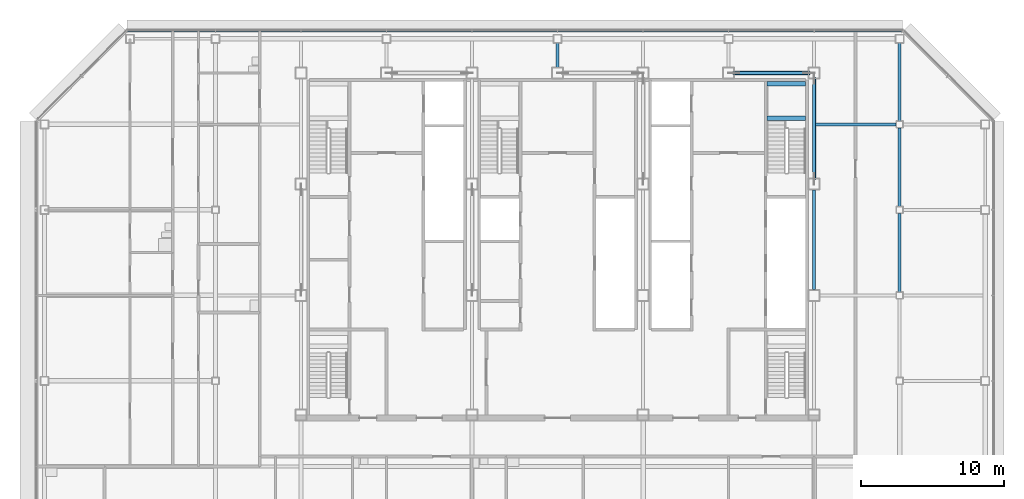
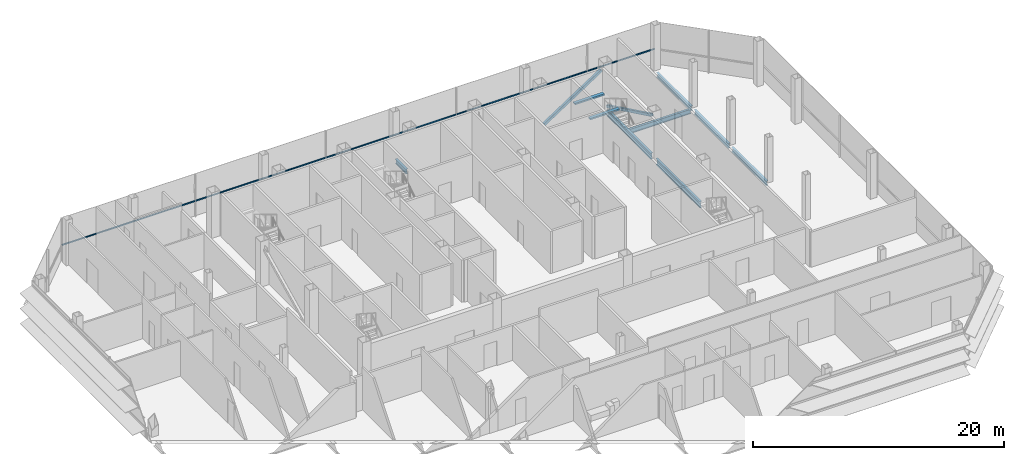
# One storey, part 15 of 29: 9 beams, 3 members, 1 element without a shape of its own.
"""IFC4 building model written with IfcOpenShell, lengths in metres."""

from ifc_helpers import new_model, si_unit, direction, frame, origin, origin_2d, place, context, subcontext, project, spatial, rectangle, hollow_rectangle, i_section, extrude, material, material_profile, profile_set, type_object, element, aggregate, save


model = new_model("IFC4")

# Units and contexts
model_context = context("Model", 3, precision=1e-05, world=origin(), true_north=direction((0.0, 1.0)))
body_context = subcontext(model_context, "Body", "Model", "MODEL_VIEW")
ifc_project = project(units=[si_unit("LENGTHUNIT", "METRE"), si_unit("AREAUNIT", "SQUARE_METRE"), si_unit("VOLUMEUNIT", "CUBIC_METRE"), si_unit("PLANEANGLEUNIT", "RADIAN"), si_unit("MASSUNIT", "GRAM", prefix="KILO")], contexts=[model_context])

# Site, building, storey
site_placement = place(None, origin())
site = spatial("IfcSite", under=ifc_project, at=site_placement, CompositionType="ELEMENT")
building_placement = place(site_placement, origin())
building = spatial("IfcBuilding", under=site, at=building_placement, Name="Sorahane Residences", CompositionType="ELEMENT")
storey_placement = place(building_placement, frame((0.0, 0.0, 277.39990234375)))
storey = spatial("IfcBuildingStorey", under=building, at=storey_placement, Name="L66", CompositionType="ELEMENT", Elevation=277.39990234375)

# Members
ifc_material_1 = material(Name="Steel Q355B", Category="steel")
ifc_material_profile_1 = material_profile(ifc_material_1, hollow_rectangle(XDim=0.25, YDim=0.25, WallThickness=0.013916015625, InnerFilletRadius=0.007080078125, OuterFilletRadius=0.02099609375, at=origin_2d()), Name="RHS 250x250x14")
ifc_profile_set_1 = profile_set([ifc_material_profile_1], Name="Steel Q355B")
member_type_1 = type_object("IfcMemberType", Name="Core brace RHS 250x250x14 Q355B", PredefinedType="BRACE", material=ifc_profile_set_1)
member_1_placement = place(storey_placement, frame((36.35888671875, 45.60009765625, 0.09814453125), z_axis=(0.836962799145, 0.0, 0.54725978552), x_axis=(0.0, 1.0, 0.0)))
element("IfcMember", 1, at=member_1_placement, inside=storey, type_object=member_type_1, Name="Core brace L66 y45.6-6", PredefinedType="BRACE", context=body_context, shape_type="SweptSolid", body=[
    extrude(hollow_rectangle(XDim=0.25, YDim=0.25, WallThickness=0.013916015625, InnerFilletRadius=0.007080078125, OuterFilletRadius=0.02099609375, at=origin_2d()), origin(), (0.0, 0.0, 1.0), 6.311279296875),
])
member_2_placement = place(storey_placement, frame((42.0, 45.232666015625, 0.109130859375), z_axis=(0.0, -0.899502923491, 0.436914740688), x_axis=(1.0, 0.0, 0.0)))
element("IfcMember", 2, at=member_2_placement, inside=storey, type_object=member_type_1, Name="Core brace L66 x42-3", PredefinedType="BRACE", context=body_context, shape_type="SweptSolid", body=[
    extrude(hollow_rectangle(XDim=0.25, YDim=0.25, WallThickness=0.013916015625, InnerFilletRadius=0.007080078125, OuterFilletRadius=0.02099609375, at=origin_2d()), origin(), (0.0, 0.0, 1.0), 7.854736328125),
])

# Curtain wall, member
ifc_material_2 = material(Name="Dark low-e glass and black anodised aluminium", Category="aluminium")
curtain_wall_type = type_object("IfcCurtainWallType", Name="Curtain wall CW-1 Typical unitised wall", PredefinedType="NOTDEFINED", material=ifc_material_2)
curtain_wall_placement = place(storey_placement, origin())
curtain_wall = element("IfcCurtainWall", 3, at=curtain_wall_placement, inside=storey, type_object=curtain_wall_type, Name="CW-1 curtain wall L66 N1", PredefinedType="NOTDEFINED")
ifc_material_3 = material(Name="Black anodised aluminium", Category="aluminium")
ifc_material_profile_2 = material_profile(ifc_material_3, rectangle(XDim=0.10009765625, YDim=0.06005859375, at=origin_2d()), Name="Curtain wall transom CW-1 black anodised aluminium 60x100")
ifc_profile_set_2 = profile_set([ifc_material_profile_2], Name="Black anodised aluminium")
member_type_2 = type_object("IfcMemberType", Name="Curtain wall transom CW-1 black anodised aluminium 60x100", PredefinedType="USERDEFINED", material=ifc_profile_set_2)
member_3_placement = place(storey_placement, frame((48.198486328125, 48.530029296875, 1.5), z_axis=(-1.0, 0.0, 0.0), x_axis=(0.0, -1.0, 0.0)))
member_3 = element("IfcMember", 4, at=member_3_placement, type_object=member_type_2, Name="CW-1 transom L66 N1", ObjectType="TRANSOM", PredefinedType="USERDEFINED", context=body_context, shape_type="SweptSolid", body=[
    extrude(rectangle(XDim=0.10009765625, YDim=0.06005859375, at=origin_2d()), origin(), (0.0, 0.0, 1.0), 54.39697265625),
])
aggregate(curtain_wall, [member_3])

# Beams
ifc_material_4 = material(Name="Concrete C40", Category="concrete")
ifc_material_profile_3 = material_profile(ifc_material_4, rectangle(XDim=0.300048828125, YDim=0.139892578125, at=origin_2d()), Name="300x140")
ifc_profile_set_3 = profile_set([ifc_material_profile_3], Name="Concrete C40")
beam_type_1 = type_object("IfcBeamType", Name="RC landing beam 300 x 140 Concrete C40", PredefinedType="BEAM", material=ifc_profile_set_3)
for number, where, z_axis, x_axis, name in (
    (5, (38.699951171875, 42.429931640625, 1.760986328125), (1.0, 0.0, 0.0), (0.0, 1.0, 0.0), "Landing beam"),
    (6, (38.699951171875, 44.85009765625, 1.760986328125), (1.0, 0.0, 0.0), (0.0, 1.0, 0.0), "Landing beam"),
):
    element("IfcBeam", number, at=place(storey_placement, frame(where, z_axis=z_axis, x_axis=x_axis)), inside=storey, type_object=beam_type_1, Name=name, PredefinedType="BEAM", context=body_context, shape_type="SweptSolid", body=[
        extrude(rectangle(XDim=0.300048828125, YDim=0.139892578125, at=origin_2d()), origin(), (0.0, 0.0, 1.0), 2.699951171875),
    ])
ifc_material_5 = material(Name="Steel Q355B", Category="steel")
ifc_material_profile_4 = material_profile(ifc_material_5, i_section(OverallWidth=0.199951171875, OverallDepth=0.449951171875, WebThickness=0.009033203125, FlangeThickness=0.013916015625, FilletRadius=0.02001953125, at=origin_2d()), Name="HN 450x200x9x14")
ifc_profile_set_4 = profile_set([ifc_material_profile_4], Name="Steel Q355B")
beam_type_2 = type_object("IfcBeamType", Name="Steel floor beam HN 450x200x9x14 Q355B", PredefinedType="BEAM", material=ifc_profile_set_4)
beam_1_placement = place(storey_placement, frame((24.0, 46.0, -0.40478515625), z_axis=(0.0, 1.0, 0.0), x_axis=(-1.0, 0.0, 0.0)))
element("IfcBeam", 7, at=beam_1_placement, inside=storey, type_object=beam_type_2, Name="Beam L66 043", PredefinedType="BEAM", context=body_context, shape_type="SweptSolid", body=[
    extrude(i_section(OverallWidth=0.199951171875, OverallDepth=0.449951171875, WebThickness=0.009033203125, FlangeThickness=0.013916015625, FilletRadius=0.02001953125, at=origin_2d()), origin(), (0.0, 0.0, 1.0), 1.699951171875),
])
for number, where, z_axis, x_axis, name in (
    (8, (48.0, 30.25, -0.40478515625), (0.0, 1.0, 0.0), (-1.0, 0.0, 0.0), "Beam L66 061"),
    (9, (48.0, 36.25, -0.40478515625), (0.0, 1.0, 0.0), (-1.0, 0.0, 0.0), "Beam L66 062"),
):
    element("IfcBeam", number, at=place(storey_placement, frame(where, z_axis=z_axis, x_axis=x_axis)), inside=storey, type_object=beam_type_2, Name=name, PredefinedType="BEAM", context=body_context, shape_type="SweptSolid", body=[
        extrude(i_section(OverallWidth=0.199951171875, OverallDepth=0.449951171875, WebThickness=0.009033203125, FlangeThickness=0.013916015625, FilletRadius=0.02001953125, at=origin_2d()), origin(), (0.0, 0.0, 1.0), 5.5),
    ])
beam_2_placement = place(storey_placement, frame((48.0, 42.25, -0.40478515625), z_axis=(0.0, 1.0, 0.0), x_axis=(-1.0, 0.0, 0.0)))
element("IfcBeam", 10, at=beam_2_placement, inside=storey, type_object=beam_type_2, Name="Beam L66 063", PredefinedType="BEAM", context=body_context, shape_type="SweptSolid", body=[
    extrude(i_section(OverallWidth=0.199951171875, OverallDepth=0.449951171875, WebThickness=0.009033203125, FlangeThickness=0.013916015625, FilletRadius=0.02001953125, at=origin_2d()), origin(), (0.0, 0.0, 1.0), 5.449951171875),
])
beam_3_placement = place(storey_placement, frame((42.10009765625, 42.0, -0.40478515625), z_axis=(1.0, 0.0, 0.0), x_axis=(0.0, 1.0, 0.0)))
element("IfcBeam", 11, at=beam_3_placement, inside=storey, type_object=beam_type_2, Name="Beam L66 091", PredefinedType="BEAM", context=body_context, shape_type="SweptSolid", body=[
    extrude(i_section(OverallWidth=0.199951171875, OverallDepth=0.449951171875, WebThickness=0.009033203125, FlangeThickness=0.013916015625, FilletRadius=0.02001953125, at=origin_2d()), origin(), (0.0, 0.0, 1.0), 5.64990234375),
])
ifc_material_6 = material(Name="Steel Q355B", Category="steel")
ifc_material_profile_5 = material_profile(ifc_material_6, i_section(OverallWidth=0.199951171875, OverallDepth=0.60009765625, WebThickness=0.010986328125, FlangeThickness=0.01708984375, FilletRadius=0.02392578125, at=origin_2d()), Name="HN 600x200x11x17")
ifc_profile_set_5 = profile_set([ifc_material_profile_5], Name="Steel Q355B")
beam_type_3 = type_object("IfcBeamType", Name="Steel floor beam HN 600x200x11x17 Q355B", PredefinedType="BEAM", material=ifc_profile_set_5)
for number, where, z_axis, x_axis, name in (
    (12, (42.0, 30.39990234375, -0.47998046875), (0.0, 1.0, 0.0), (-1.0, 0.0, 0.0), "Beam L66 055"),
    (13, (42.0, 38.199951171875, -0.47998046875), (0.0, 1.0, 0.0), (-1.0, 0.0, 0.0), "Beam L66 056"),
):
    element("IfcBeam", number, at=place(storey_placement, frame(where, z_axis=z_axis, x_axis=x_axis)), inside=storey, type_object=beam_type_3, Name=name, PredefinedType="BEAM", context=body_context, shape_type="SweptSolid", body=[
        extrude(i_section(OverallWidth=0.199951171875, OverallDepth=0.60009765625, WebThickness=0.010986328125, FlangeThickness=0.01708984375, FilletRadius=0.02392578125, at=origin_2d()), origin(), (0.0, 0.0, 1.0), 7.0),
    ])

save(model, "model.ifc")
